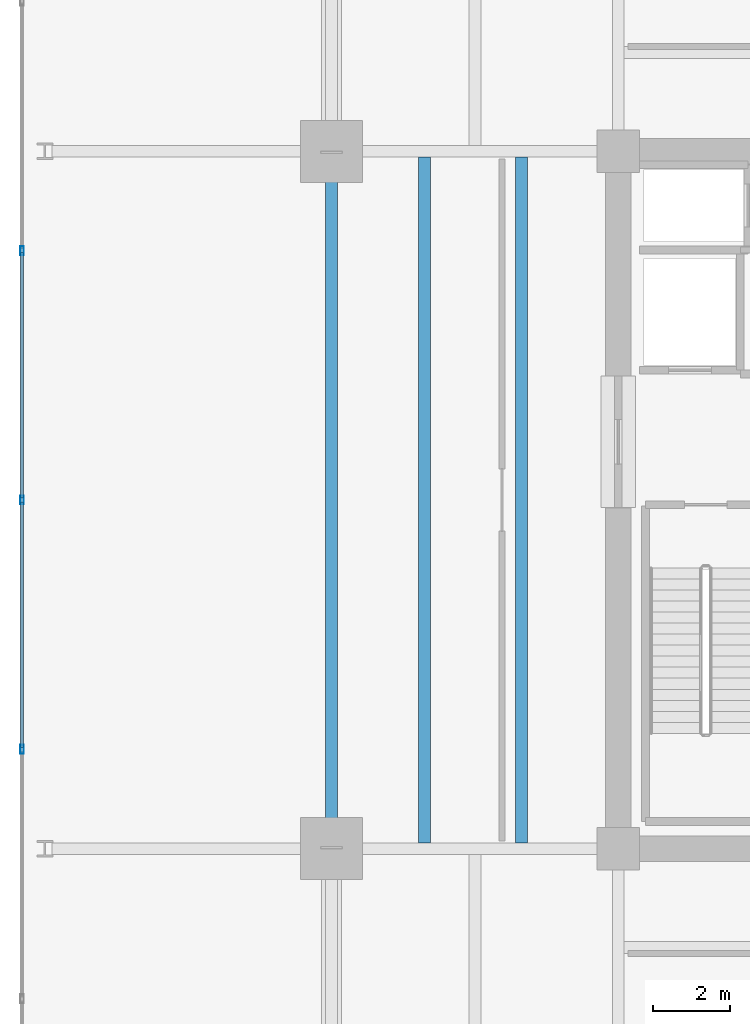
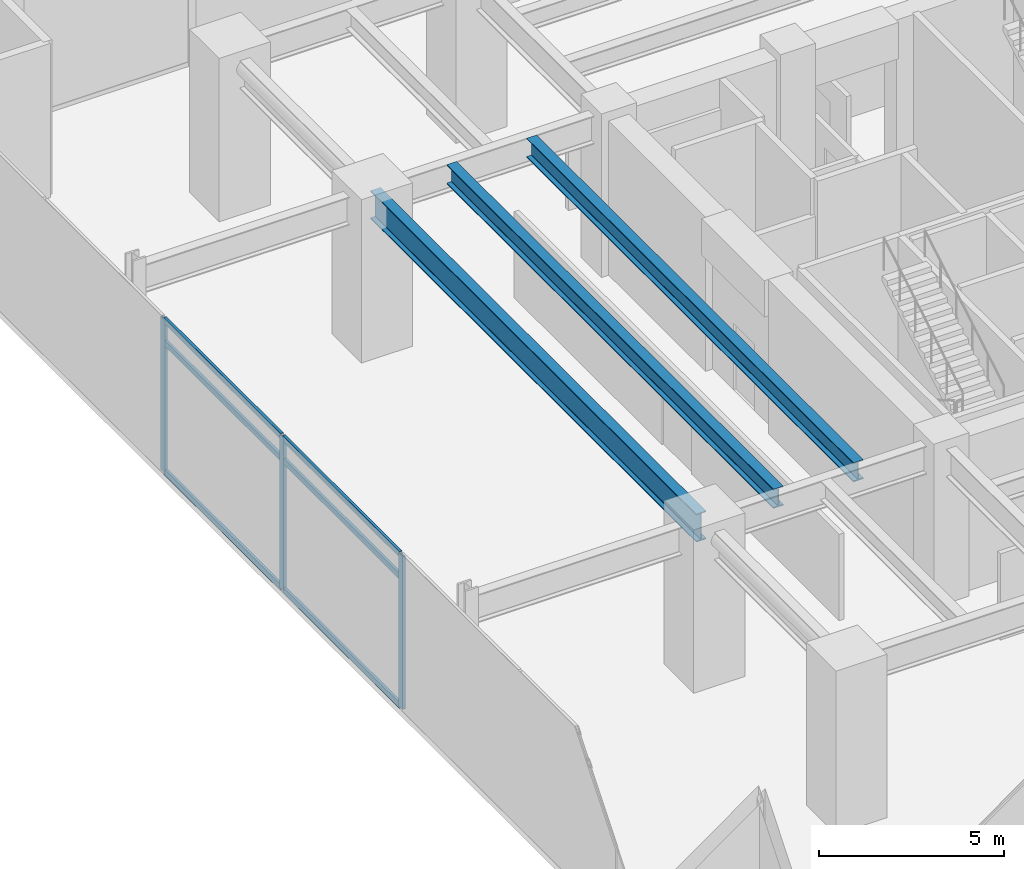
# One storey, part 6 of 23: 9 members, 3 beams, 1 element without a shape of its own.
"""IFC4 building model written with IfcOpenShell, lengths in metres."""

from ifc_helpers import new_model, si_unit, direction, frame, origin, origin_2d, place, context, subcontext, project, spatial, hollow_rectangle, i_section, extrude, material, material_profile, profile_set, type_object, element, aggregate, save


model = new_model("IFC4")

# Units and contexts
model_context = context("Model", 3, precision=1e-05, world=origin(), true_north=direction((0.0, 1.0)))
body_context = subcontext(model_context, "Body", "Model", "MODEL_VIEW")
ifc_project = project(units=[si_unit("LENGTHUNIT", "METRE"), si_unit("AREAUNIT", "SQUARE_METRE"), si_unit("VOLUMEUNIT", "CUBIC_METRE"), si_unit("PLANEANGLEUNIT", "RADIAN"), si_unit("MASSUNIT", "GRAM", prefix="KILO")], contexts=[model_context])

# Site, building, storey
site_placement = place(None, origin())
site = spatial("IfcSite", under=ifc_project, at=site_placement, CompositionType="ELEMENT")
building_placement = place(site_placement, origin())
building = spatial("IfcBuilding", under=site, at=building_placement, Name="Kovane Verandah Tower", CompositionType="ELEMENT")
storey_placement = place(building_placement, frame((0.0, 0.0, 107.60009765625)))
storey = spatial("IfcBuildingStorey", under=building, at=storey_placement, Name="L25", CompositionType="ELEMENT", Elevation=107.60009765625)

# Beams
ifc_material_1 = material(Name="Steel S460", Category="steel")
ifc_material_profile_1 = material_profile(ifc_material_1, i_section(OverallWidth=0.311279296875, OverallDepth=0.6357421875, WebThickness=0.018310546875, FlangeThickness=0.031494140625, FilletRadius=0.0166015625, at=origin_2d()), Name="UB610x305x238")
ifc_profile_set_1 = profile_set([ifc_material_profile_1], Name="Steel S460")
beam_type_1 = type_object("IfcBeamType", Name="BM-UB610x238", PredefinedType="BEAM", material=ifc_profile_set_1)
for number, where, z_axis, x_axis, name in (
    (1, (24.0, 18.65185546875, 4.781982421875), (0.0, 1.0, 0.0), (-1.0, 0.0, 0.0), "L25 Secondary Composite Joist J-W1"),
    (2, (26.5, 18.65185546875, 4.781982421875), (0.0, 1.0, 0.0), (-1.0, 0.0, 0.0), "L25 Secondary Composite Joist J-W2"),
):
    element("IfcBeam", number, at=place(storey_placement, frame(where, z_axis=z_axis, x_axis=x_axis)), inside=storey, type_object=beam_type_1, Name=name, PredefinedType="BEAM", context=body_context, shape_type="SweptSolid", body=[
        extrude(i_section(OverallWidth=0.311279296875, OverallDepth=0.6357421875, WebThickness=0.018310546875, FlangeThickness=0.031494140625, FilletRadius=0.0166015625, at=origin_2d()), origin(), (0.0, 0.0, 1.0), 17.6962890625),
    ])
ifc_material_profile_2 = material_profile(ifc_material_1, i_section(OverallWidth=0.3076171875, OverallDepth=0.926513671875, WebThickness=0.01953125, FlangeThickness=0.031982421875, FilletRadius=0.01904296875, at=origin_2d()), Name="UB914x305x289")
ifc_profile_set_2 = profile_set([ifc_material_profile_2], Name="Steel S460")
beam_type_2 = type_object("IfcBeamType", Name="BM-UB914x289", PredefinedType="BEAM", material=ifc_profile_set_2)
beam_placement = place(storey_placement, frame((21.60009765625, 18.679931640625, 4.63671875), z_axis=(0.0, 1.0, 0.0), x_axis=(-1.0, 0.0, 0.0)))
element("IfcBeam", 3, at=beam_placement, inside=storey, type_object=beam_type_2, Name="L25 Primary Tower Girder G-RW2", PredefinedType="BEAM", context=body_context, shape_type="SweptSolid", body=[
    extrude(i_section(OverallWidth=0.3076171875, OverallDepth=0.926513671875, WebThickness=0.01953125, FlangeThickness=0.031982421875, FilletRadius=0.01904296875, at=origin_2d()), origin(), (0.0, 0.0, 1.0), 17.64013671875),
])

# Curtain wall, members
ifc_material_2 = material(Name="Champagne Anodised Aluminium Frame with Low-E Clear Laminated Glass", Category="aluminium")
curtain_wall_type = type_object("IfcCurtainWallType", Name="CW-SYS-02-LOW", PredefinedType="NOTDEFINED", material=ifc_material_2)
curtain_wall_placement = place(storey_placement, origin())
curtain_wall = element("IfcCurtainWall", 4, at=curtain_wall_placement, inside=storey, type_object=curtain_wall_type, Name="L25 W Unitised Curtain Wall", PredefinedType="NOTDEFINED")
ifc_material_3 = material(Name="Champagne Anodised Aluminium 6063-T6", Category="aluminium")
ifc_material_profile_3 = material_profile(ifc_material_3, hollow_rectangle(XDim=0.0849609375, YDim=0.22998046875, WallThickness=0.00390625, at=origin_2d()), Name="AL85x230x4")
ifc_profile_set_3 = profile_set([ifc_material_profile_3], Name="Champagne Anodised Aluminium 6063-T6")
member_type_1 = type_object("IfcMemberType", Name="CW-MUL-85x230", PredefinedType="MULLION", material=ifc_profile_set_3)
member_1_placement = place(storey_placement, frame((13.613037109375, 33.93701171875, 0.02001953125), z_axis=(0.0, 0.0, 1.0), x_axis=(-1.0, 0.0, 0.0)))
member_1 = element("IfcMember", 5, at=member_1_placement, type_object=member_type_1, Name="L25 W Unitised Curtain Wall Mullion 3", PredefinedType="MULLION", context=body_context, shape_type="SweptSolid", body=[
    extrude(hollow_rectangle(XDim=0.0849609375, YDim=0.22998046875, WallThickness=0.00390625, at=origin_2d()), origin(), (0.0, 0.0, 1.0), 5.059814453125),
])
member_2_placement = place(storey_placement, frame((13.613037109375, 27.5, 0.02001953125), z_axis=(0.0, 0.0, 1.0), x_axis=(-1.0, 0.0, 0.0)))
member_2 = element("IfcMember", 6, at=member_2_placement, type_object=member_type_1, Name="L25 W Unitised Curtain Wall Mullion 4", PredefinedType="MULLION", context=body_context, shape_type="SweptSolid", body=[
    extrude(hollow_rectangle(XDim=0.0849609375, YDim=0.22998046875, WallThickness=0.00390625, at=origin_2d()), origin(), (0.0, 0.0, 1.0), 5.059814453125),
])
member_3_placement = place(storey_placement, frame((13.613037109375, 21.06298828125, 0.02001953125), z_axis=(0.0, 0.0, 1.0), x_axis=(-1.0, 0.0, 0.0)))
member_3 = element("IfcMember", 7, at=member_3_placement, type_object=member_type_1, Name="L25 W Unitised Curtain Wall Mullion 5", PredefinedType="MULLION", context=body_context, shape_type="SweptSolid", body=[
    extrude(hollow_rectangle(XDim=0.0849609375, YDim=0.22998046875, WallThickness=0.00390625, at=origin_2d()), origin(), (0.0, 0.0, 1.0), 5.059814453125),
])
ifc_material_profile_4 = material_profile(ifc_material_3, hollow_rectangle(XDim=0.0849609375, YDim=0.18994140625, WallThickness=0.00390625, at=origin_2d()), Name="AL85x190x4")
ifc_profile_set_4 = profile_set([ifc_material_profile_4], Name="Champagne Anodised Aluminium 6063-T6")
member_type_2 = type_object("IfcMemberType", Name="CW-TRN-85x190", PredefinedType="USERDEFINED", material=ifc_profile_set_4)
member_4_placement = place(storey_placement, frame((13.613037109375, 33.886962890625, 0.0498046875), z_axis=(0.0, -1.0, 0.0), x_axis=(1.0, 0.0, 0.0)))
member_4 = element("IfcMember", 8, at=member_4_placement, type_object=member_type_2, Name="L25 W Unitised Curtain Wall Transom TB Bay 3", ObjectType="TRANSOM", PredefinedType="USERDEFINED", context=body_context, shape_type="SweptSolid", body=[
    extrude(hollow_rectangle(XDim=0.0849609375, YDim=0.18994140625, WallThickness=0.00390625, at=origin_2d()), origin(), (0.0, 0.0, 1.0), 6.3369140625),
])
member_5_placement = place(storey_placement, frame((13.613037109375, 33.886962890625, 4.31982421875), z_axis=(0.0, -1.0, 0.0), x_axis=(1.0, 0.0, 0.0)))
member_5 = element("IfcMember", 9, at=member_5_placement, type_object=member_type_2, Name="L25 W Unitised Curtain Wall Transom TM Bay 3", ObjectType="TRANSOM", PredefinedType="USERDEFINED", context=body_context, shape_type="SweptSolid", body=[
    extrude(hollow_rectangle(XDim=0.0849609375, YDim=0.18994140625, WallThickness=0.00390625, at=origin_2d()), origin(), (0.0, 0.0, 1.0), 6.3369140625),
])
member_6_placement = place(storey_placement, frame((13.613037109375, 33.886962890625, 5.0498046875), z_axis=(0.0, -1.0, 0.0), x_axis=(1.0, 0.0, 0.0)))
member_6 = element("IfcMember", 10, at=member_6_placement, type_object=member_type_2, Name="L25 W Unitised Curtain Wall Transom TT Bay 3", ObjectType="TRANSOM", PredefinedType="USERDEFINED", context=body_context, shape_type="SweptSolid", body=[
    extrude(hollow_rectangle(XDim=0.0849609375, YDim=0.18994140625, WallThickness=0.00390625, at=origin_2d()), origin(), (0.0, 0.0, 1.0), 6.3369140625),
])
member_7_placement = place(storey_placement, frame((13.613037109375, 27.449951171875, 0.0498046875), z_axis=(0.0, -1.0, 0.0), x_axis=(1.0, 0.0, 0.0)))
member_7 = element("IfcMember", 11, at=member_7_placement, type_object=member_type_2, Name="L25 W Unitised Curtain Wall Transom TB Bay 4", ObjectType="TRANSOM", PredefinedType="USERDEFINED", context=body_context, shape_type="SweptSolid", body=[
    extrude(hollow_rectangle(XDim=0.0849609375, YDim=0.18994140625, WallThickness=0.00390625, at=origin_2d()), origin(), (0.0, 0.0, 1.0), 6.3369140625),
])
member_8_placement = place(storey_placement, frame((13.613037109375, 27.449951171875, 4.31982421875), z_axis=(0.0, -1.0, 0.0), x_axis=(1.0, 0.0, 0.0)))
member_8 = element("IfcMember", 12, at=member_8_placement, type_object=member_type_2, Name="L25 W Unitised Curtain Wall Transom TM Bay 4", ObjectType="TRANSOM", PredefinedType="USERDEFINED", context=body_context, shape_type="SweptSolid", body=[
    extrude(hollow_rectangle(XDim=0.0849609375, YDim=0.18994140625, WallThickness=0.00390625, at=origin_2d()), origin(), (0.0, 0.0, 1.0), 6.3369140625),
])
member_9_placement = place(storey_placement, frame((13.613037109375, 27.449951171875, 5.0498046875), z_axis=(0.0, -1.0, 0.0), x_axis=(1.0, 0.0, 0.0)))
member_9 = element("IfcMember", 13, at=member_9_placement, type_object=member_type_2, Name="L25 W Unitised Curtain Wall Transom TT Bay 4", ObjectType="TRANSOM", PredefinedType="USERDEFINED", context=body_context, shape_type="SweptSolid", body=[
    extrude(hollow_rectangle(XDim=0.0849609375, YDim=0.18994140625, WallThickness=0.00390625, at=origin_2d()), origin(), (0.0, 0.0, 1.0), 6.3369140625),
])
aggregate(curtain_wall, [member_1, member_2, member_3, member_4, member_5, member_6, member_7, member_8, member_9])

save(model, "model.ifc")
